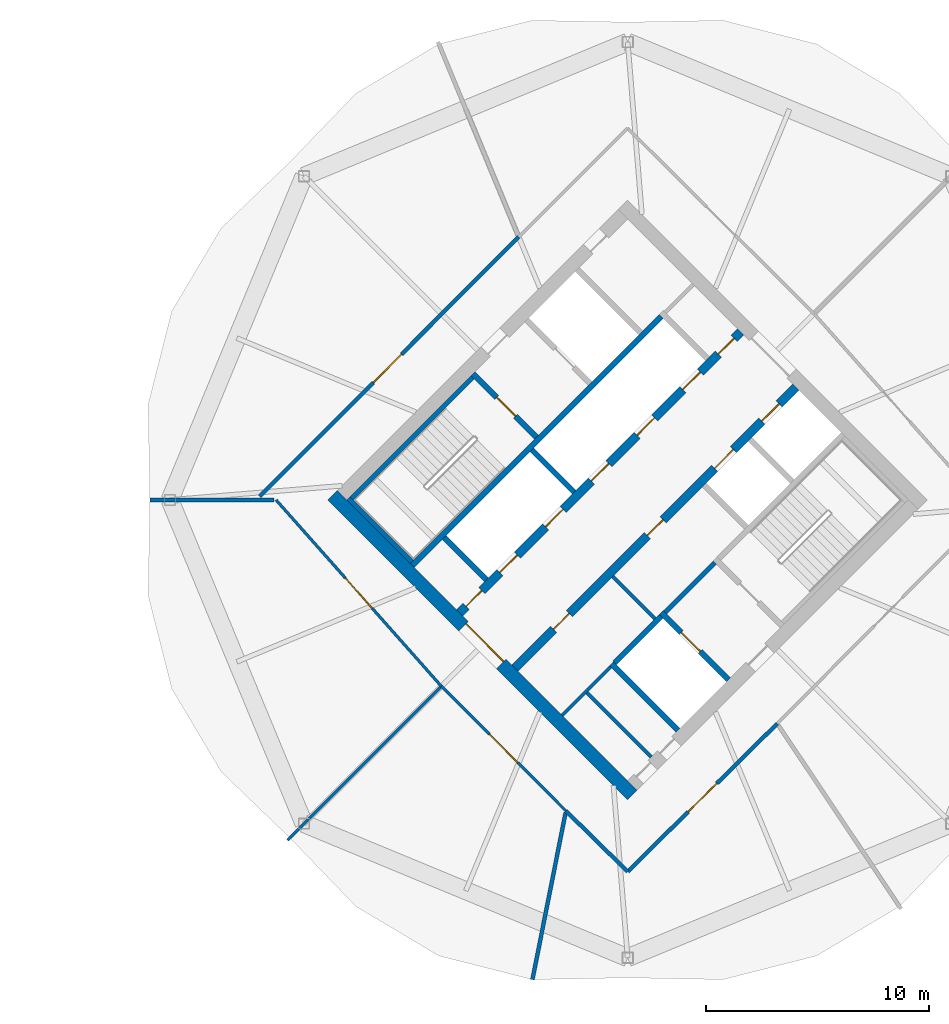
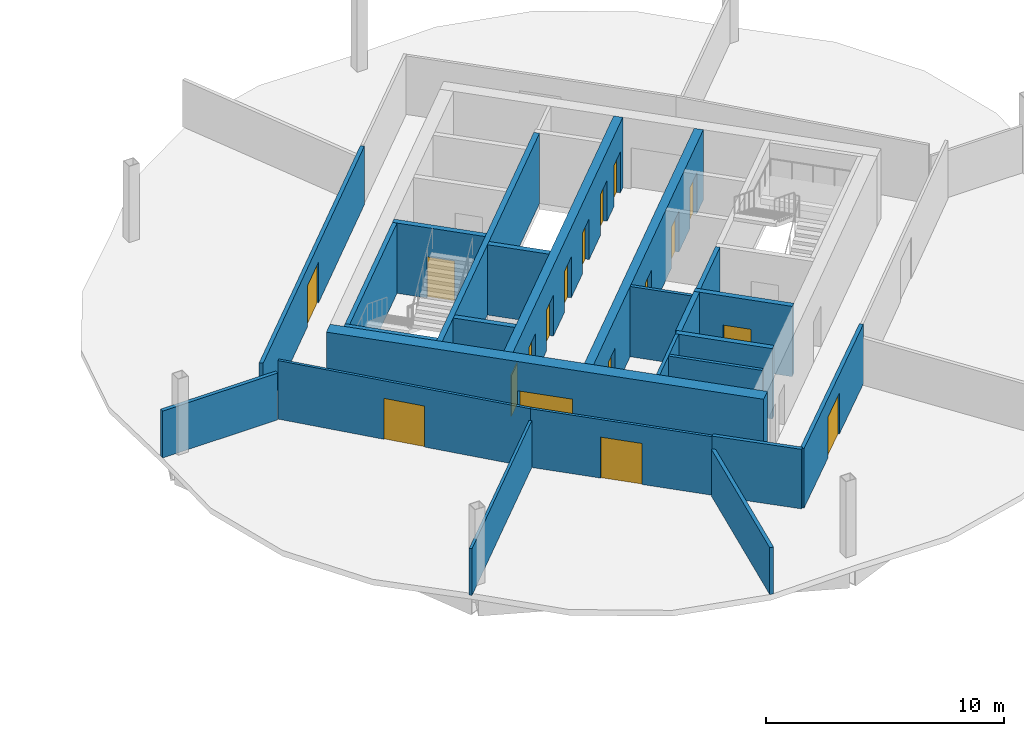
# One storey, part 6 of 9: 24 walls, 18 doors, 18 openings.
"""IFC4 building model written with IfcOpenShell, lengths in metres."""

from ifc_helpers import new_model, si_unit, direction, frame, frame_2d, origin, place, context, subcontext, project, spatial, rectangle, extrude, material, layer, layer_set, type_object, element, fill, save


model = new_model("IFC4")

# Units and contexts
model_context = context("Model", 3, precision=1e-05, world=origin(), true_north=direction((0.0, 1.0)))
body_context = subcontext(model_context, "Body", "Model", "MODEL_VIEW")
ifc_project = project(units=[si_unit("LENGTHUNIT", "METRE"), si_unit("AREAUNIT", "SQUARE_METRE"), si_unit("VOLUMEUNIT", "CUBIC_METRE"), si_unit("PLANEANGLEUNIT", "RADIAN"), si_unit("MASSUNIT", "GRAM", prefix="KILO")], contexts=[model_context])

# Site, building, storey
site_placement = place(None, origin())
site = spatial("IfcSite", under=ifc_project, at=site_placement, CompositionType="ELEMENT")
building_placement = place(site_placement, origin())
building = spatial("IfcBuilding", under=site, at=building_placement, Name="Ogive Gate Towers", CompositionType="ELEMENT")
storey_placement = place(building_placement, frame((0.0, 0.0, 192.89990234375)))
storey = spatial("IfcBuildingStorey", under=building, at=storey_placement, Name="L46", CompositionType="ELEMENT", Elevation=192.89990234375)

# Walls
ifc_material_1 = material(Name="Gypsum board acoustic partition")
ifc_layer_1 = layer(ifc_material_1, 0.175048828125)
ifc_layer_set_1 = layer_set([ifc_layer_1], Name="Acoustic partition 175")
wall_type_1 = type_object("IfcWallType", Name="Acoustic partition 175", PredefinedType="PARTITIONING", material=ifc_layer_set_1)
wall_1_placement = place(storey_placement, frame((14.5810546875, 0.0, 0.0), z_axis=(0.0, 0.0, 1.0), x_axis=(1.0, 0.0, 0.0)))
element("IfcWall", 1, at=wall_1_placement, inside=storey, type_object=wall_type_1, Name="Partition T2-L46-004", PredefinedType="PARTITIONING", context=body_context, shape_type="SweptSolid", body=[
    extrude(rectangle(XDim=5.571533203125, YDim=0.175048828125, at=frame_2d((2.78564453125, 0.0))), origin(), (0.0, 0.0, 1.0), 2.400146484375),
])
wall_2_placement = place(storey_placement, frame((31.731689453125, -21.5, 0.0), z_axis=(0.0, 0.0, 1.0), x_axis=(0.19472988684, 0.980856906573, 0.0)))
element("IfcWall", 2, at=wall_2_placement, inside=storey, type_object=wall_type_1, Name="Partition T2-L46-006", PredefinedType="PARTITIONING", context=body_context, shape_type="SweptSolid", body=[
    extrude(rectangle(XDim=7.62158203125, YDim=0.175048828125, at=frame_2d((3.810791015625, 0.0))), origin(), (0.0, 0.0, 1.0), 2.400146484375),
])

# Wall, opening, door
wall_3_placement = place(storey_placement, frame((36.0, -16.659423828125, 0.0), z_axis=(0.0, 0.0, 1.0), x_axis=(0.710811571556, 0.703382477563, 0.0)))
wall_3 = element("IfcWall", 3, at=wall_3_placement, inside=storey, type_object=wall_type_1, Name="Partition T2-L46-010", PredefinedType="PARTITIONING", context=body_context, shape_type="SweptSolid", body=[
    extrude(rectangle(XDim=9.431640625, YDim=0.175048828125, at=frame_2d((4.7158203125, 0.0))), origin(), (0.0, 0.0, 1.0), 3.050048828125),
])
opening_1_placement = place(wall_3_placement, frame((3.81591796875, 0.0, 0.0)))
opening_1 = element("IfcOpeningElement", 4, at=opening_1_placement, cuts=wall_3, Name="Opening T2-L46-D03", PredefinedType="OPENING", context=body_context, shape_type="SweptSolid", body=[
    extrude(rectangle(XDim=1.800048828125, YDim=2.10009765625, at=frame_2d((0.89990234375, 1.050048828125))), frame((0.0, 0.09765625, 0.0), z_axis=(0.0, -1.0, 0.0), x_axis=(1.0, 0.0, 0.0)), (0.0, 0.0, 1.0), 0.195068359375),
])
ifc_material_2 = material(Name="Timber door", Category="wood")
door_type_1 = type_object("IfcDoorType", Name="Door pair 1800", OperationType="NOTDEFINED", PredefinedType="DOOR", material=ifc_material_2)
door_1_placement = place(opening_1_placement, origin())
door_1 = element("IfcDoor", 5, at=door_1_placement, inside=storey, type_object=door_type_1, Name="Door T2-L46-D03", OperationType="DOUBLE_DOOR_DOUBLE_SWING", OverallHeight=2.10009765625, OverallWidth=1.800048828125, PredefinedType="DOOR", context=body_context, shape_type="SweptSolid", body=[
    extrude(rectangle(XDim=1.800048828125, YDim=2.10009765625, at=frame_2d((0.89990234375, 1.050048828125))), frame((0.0, 0.02490234375, 0.0), z_axis=(0.0, -1.0, 0.0), x_axis=(1.0, 0.0, 0.0)), (0.0, 0.0, 1.0), 0.050048828125),
])
fill(opening_1, door_1)

# Wall
wall_4_placement = place(storey_placement, frame((33.23291015625, -13.9384765625, 0.0), z_axis=(0.0, 0.0, 1.0), x_axis=(0.713026824881, -0.701136753423, 0.0)))
element("IfcWall", 6, at=wall_4_placement, inside=storey, type_object=wall_type_1, Name="Partition T2-L46-011", PredefinedType="PARTITIONING", context=body_context, shape_type="SweptSolid", body=[
    extrude(rectangle(XDim=3.880859375, YDim=0.175048828125, at=frame_2d((1.9404296875, 0.0))), origin(), (0.0, 0.0, 1.0), 3.050048828125),
])

# Wall, opening, door
wall_5_placement = place(storey_placement, frame((31.11669921875, 11.789794921875, 0.0), z_axis=(0.0, 0.0, 1.0), x_axis=(-0.706698338797, -0.707514987786, 0.0)))
wall_5 = element("IfcWall", 7, at=wall_5_placement, inside=storey, type_object=wall_type_1, Name="Partition T2-L46-016", PredefinedType="PARTITIONING", context=body_context, shape_type="SweptSolid", body=[
    extrude(rectangle(XDim=16.4423828125, YDim=0.175048828125, at=frame_2d((8.22119140625, 0.0))), origin(), (0.0, 0.0, 1.0), 3.0),
])
opening_2_placement = place(wall_5_placement, frame((7.431884765625, 0.0, 0.0)))
opening_2 = element("IfcOpeningElement", 8, at=opening_2_placement, cuts=wall_5, Name="Opening T2-L46-D07", PredefinedType="OPENING", context=body_context, shape_type="SweptSolid", body=[
    extrude(rectangle(XDim=1.800048828125, YDim=2.10009765625, at=frame_2d((0.89990234375, 1.050048828125))), frame((0.0, 0.09765625, 0.0), z_axis=(0.0, -1.0, 0.0), x_axis=(1.0, 0.0, 0.0)), (0.0, 0.0, 1.0), 0.195068359375),
])
door_2_placement = place(opening_2_placement, origin())
door_2 = element("IfcDoor", 9, at=door_2_placement, inside=storey, type_object=door_type_1, Name="Door T2-L46-D07", OperationType="DOUBLE_DOOR_DOUBLE_SWING", OverallHeight=2.10009765625, OverallWidth=1.800048828125, PredefinedType="DOOR", context=body_context, shape_type="SweptSolid", body=[
    extrude(rectangle(XDim=1.800048828125, YDim=2.10009765625, at=frame_2d((0.89990234375, 1.050048828125))), frame((0.0, 0.02490234375, 0.0), z_axis=(0.0, -1.0, 0.0), x_axis=(1.0, 0.0, 0.0)), (0.0, 0.0, 1.0), 0.050048828125),
])
fill(opening_2, door_2)

# Wall
ifc_material_3 = material(Name="Masonry blockwork", Category="masonry")
ifc_layer_2 = layer(ifc_material_3, 0.199951171875)
ifc_layer_set_2 = layer_set([ifc_layer_2], Name="Blockwork wall 200 mm")
wall_type_2 = type_object("IfcWallType", Name="Blockwork wall 200 mm", PredefinedType="PARTITIONING", material=ifc_layer_set_2)
wall_6_placement = place(storey_placement, frame((37.679443359375, -5.0380859375, 0.0), z_axis=(0.0, 0.0, 1.0), x_axis=(0.707106781187, 0.707106781187, 0.0)))
element("IfcWall", 10, at=wall_6_placement, inside=storey, type_object=wall_type_2, Name="T2 L46 Blockwork wall 200 mm", PredefinedType="PARTITIONING", context=body_context, shape_type="SweptSolid", body=[
    extrude(rectangle(XDim=3.14990234375, YDim=0.199951171875, at=frame_2d((1.574951171875, 0.0))), origin(), (0.0, 0.0, 1.0), 3.60009765625),
])

# Wall, opening, door
ifc_material_4 = material(Name="Concrete C60/75", Category="concrete")
ifc_layer_3 = layer(ifc_material_4, 0.60009765625)
ifc_layer_set_3 = layer_set([ifc_layer_3], Name="Core wall 600 mm")
wall_type_3 = type_object("IfcWallType", Name="Core wall 600 mm", PredefinedType="SHEAR", material=ifc_layer_set_3)
wall_7_placement = place(storey_placement, frame((36.212158203125, -13.222900390625, 0.0), z_axis=(0.0, 0.0, 1.0), x_axis=(-0.707106781187, 0.707106781187, 0.0)))
wall_7 = element("IfcWall", 11, at=wall_7_placement, inside=storey, type_object=wall_type_3, Name="T2 L46 Core wall 600 mm", PredefinedType="SHEAR", context=body_context, shape_type="SweptSolid", body=[
    extrude(rectangle(XDim=19.0, YDim=0.60009765625, at=frame_2d((9.5, 0.0))), origin(), (0.0, 0.0, 1.0), 3.60009765625),
])
opening_3_placement = place(wall_7_placement, frame((8.300048828125, 0.0, 0.0)))
opening_3 = element("IfcOpeningElement", 12, at=opening_3_placement, cuts=wall_7, Name="Opening KD-T2-L46-01", PredefinedType="OPENING", context=body_context, shape_type="SweptSolid", body=[
    extrude(rectangle(XDim=2.39990234375, YDim=2.10009765625, at=frame_2d((1.199951171875, 1.050048828125))), frame((0.0, 0.31005859375, 0.0), z_axis=(0.0, -1.0, 0.0), x_axis=(1.0, 0.0, 0.0)), (0.0, 0.0, 1.0), 0.6201171875),
])
ifc_material_5 = material(Name="Steel fire door", Category="steel")
door_type_2 = type_object("IfcDoorType", Name="Core double door FD60S 2400 x 2100", OperationType="DOUBLE_DOOR_SINGLE_SWING", PredefinedType="DOOR", material=ifc_material_5)
door_3_placement = place(opening_3_placement, origin())
door_3 = element("IfcDoor", 13, at=door_3_placement, inside=storey, type_object=door_type_2, Name="T2 L46 Core door double", OperationType="DOUBLE_DOOR_SINGLE_SWING", OverallHeight=2.10009765625, OverallWidth=2.39990234375, PredefinedType="DOOR", context=body_context, shape_type="SweptSolid", body=[
    extrude(rectangle(XDim=2.39990234375, YDim=2.10009765625, at=frame_2d((1.199951171875, 1.050048828125))), frame((0.0, -0.125, 0.0), z_axis=(0.0, -1.0, 0.0), x_axis=(1.0, 0.0, 0.0)), (0.0, 0.0, 1.0), 0.050048828125),
])
fill(opening_3, door_3)

# Wall
ifc_material_6 = material(Name="Gypsum board partition")
ifc_layer_4 = layer(ifc_material_6, 0.125)
ifc_layer_set_4 = layer_set([ifc_layer_4], Name="Partition 125")
wall_type_4 = type_object("IfcWallType", Name="Partition 125", PredefinedType="PARTITIONING", material=ifc_layer_set_4)
wall_8_placement = place(storey_placement, frame((20.751708984375, -15.248291015625, 0.0), z_axis=(0.0, 0.0, 1.0), x_axis=(0.707106781187, 0.707106781187, 0.0)))
element("IfcWall", 14, at=wall_8_placement, inside=storey, type_object=wall_type_4, Name="Partition T2-L46-005", PredefinedType="PARTITIONING", context=body_context, shape_type="SweptSolid", body=[
    extrude(rectangle(XDim=9.69189453125, YDim=0.125, at=frame_2d((4.845947265625, 0.0))), origin(), (0.0, 0.0, 1.0), 2.400146484375),
])

# Wall, opening, door
wall_9_placement = place(storey_placement, frame((20.239990234375, 0.0, 0.0), z_axis=(0.0, 0.0, 1.0), x_axis=(0.663674010549, -0.748021929974, 0.0)))
wall_9 = element("IfcWall", 15, at=wall_9_placement, inside=storey, type_object=wall_type_4, Name="Partition T2-L46-008", PredefinedType="PARTITIONING", context=body_context, shape_type="SweptSolid", body=[
    extrude(rectangle(XDim=11.163818359375, YDim=0.125, at=frame_2d((5.58203125, 0.0))), origin(), (0.0, 0.0, 1.0), 3.0),
])
opening_4_placement = place(wall_9_placement, frame((4.681884765625, 0.0, 0.0)))
opening_4 = element("IfcOpeningElement", 16, at=opening_4_placement, cuts=wall_9, Name="Opening T2-L46-D01", PredefinedType="OPENING", context=body_context, shape_type="SweptSolid", body=[
    extrude(rectangle(XDim=1.800048828125, YDim=2.10009765625, at=frame_2d((0.89990234375, 1.050048828125))), frame((0.0, 0.072509765625, 0.0), z_axis=(0.0, -1.0, 0.0), x_axis=(1.0, 0.0, 0.0)), (0.0, 0.0, 1.0), 0.14501953125),
])
door_4_placement = place(opening_4_placement, origin())
door_4 = element("IfcDoor", 17, at=door_4_placement, inside=storey, type_object=door_type_1, Name="Door T2-L46-D01", OperationType="DOUBLE_DOOR_DOUBLE_SWING", OverallHeight=2.10009765625, OverallWidth=1.800048828125, PredefinedType="DOOR", context=body_context, shape_type="SweptSolid", body=[
    extrude(rectangle(XDim=1.800048828125, YDim=2.10009765625, at=frame_2d((0.89990234375, 1.050048828125))), frame((0.0, 0.02490234375, 0.0), z_axis=(0.0, -1.0, 0.0), x_axis=(1.0, 0.0, 0.0)), (0.0, 0.0, 1.0), 0.050048828125),
])
fill(opening_4, door_4)

wall_10_placement = place(storey_placement, frame((27.649169921875, -8.350830078125, 0.0), z_axis=(0.0, 0.0, 1.0), x_axis=(0.706859487034, -0.707353988884, 0.0)))
wall_10 = element("IfcWall", 18, at=wall_10_placement, inside=storey, type_object=wall_type_4, Name="Partition T2-L46-009", PredefinedType="PARTITIONING", context=body_context, shape_type="SweptSolid", body=[
    extrude(rectangle(XDim=7.8994140625, YDim=0.125, at=frame_2d((3.94970703125, 0.0))), origin(), (0.0, 0.0, 1.0), 3.0),
])
opening_5_placement = place(wall_10_placement, frame((3.050048828125, 0.0, 0.0)))
opening_5 = element("IfcOpeningElement", 19, at=opening_5_placement, cuts=wall_10, Name="Opening T2-L46-D02", PredefinedType="OPENING", context=body_context, shape_type="SweptSolid", body=[
    extrude(rectangle(XDim=1.800048828125, YDim=2.10009765625, at=frame_2d((0.89990234375, 1.050048828125))), frame((0.0, 0.072509765625, 0.0), z_axis=(0.0, -1.0, 0.0), x_axis=(1.0, 0.0, 0.0)), (0.0, 0.0, 1.0), 0.14501953125),
])
door_5_placement = place(opening_5_placement, origin())
door_5 = element("IfcDoor", 20, at=door_5_placement, inside=storey, type_object=door_type_1, Name="Door T2-L46-D02", OperationType="DOUBLE_DOOR_DOUBLE_SWING", OverallHeight=2.10009765625, OverallWidth=1.800048828125, PredefinedType="DOOR", context=body_context, shape_type="SweptSolid", body=[
    extrude(rectangle(XDim=1.800048828125, YDim=2.10009765625, at=frame_2d((0.89990234375, 1.050048828125))), frame((0.0, 0.02490234375, 0.0), z_axis=(0.0, -1.0, 0.0), x_axis=(1.0, 0.0, 0.0)), (0.0, 0.0, 1.0), 0.050048828125),
])
fill(opening_5, door_5)

# Walls
ifc_layer_5 = layer(ifc_material_6, 0.14990234375)
ifc_layer_set_5 = layer_set([ifc_layer_5], Name="Room partition 150 mm")
wall_type_5 = type_object("IfcWallType", Name="Room partition 150 mm", PredefinedType="PARTITIONING", material=ifc_layer_set_5)
wall_11_placement = place(storey_placement, frame((33.0654296875, -9.652099609375, 0.0), z_axis=(0.0, 0.0, 1.0), x_axis=(0.707146476181, 0.707067083964, 0.0)))
element("IfcWall", 21, at=wall_11_placement, inside=storey, type_object=wall_type_5, Name="T2 L46 Room partition 150 mm", PredefinedType="PARTITIONING", context=body_context, shape_type="SweptSolid", body=[
    extrude(rectangle(XDim=3.0751953125, YDim=0.14990234375, at=frame_2d((1.53759765625, 0.0))), origin(), (0.0, 0.0, 1.0), 3.60009765625),
])
wall_12_placement = place(storey_placement, frame((37.060791015625, -11.52587890625, 0.0), z_axis=(0.0, 0.0, 1.0), x_axis=(-0.707106781187, 0.707106781187, 0.0)))
element("IfcWall", 22, at=wall_12_placement, inside=storey, type_object=wall_type_5, Name="T2 L46 Room partition 150 mm", PredefinedType="PARTITIONING", context=body_context, shape_type="SweptSolid", body=[
    extrude(rectangle(XDim=4.0751953125, YDim=0.14990234375, at=frame_2d((2.03759765625, 0.0))), origin(), (0.0, 0.0, 1.0), 3.60009765625),
])
wall_13_placement = place(storey_placement, frame((37.2197265625, -5.321044921875, 0.0), z_axis=(0.0, 0.0, 1.0), x_axis=(-0.707106781187, 0.707106781187, 0.0)))
element("IfcWall", 23, at=wall_13_placement, inside=storey, type_object=wall_type_5, Name="T2 L46 Room partition 150 mm", PredefinedType="PARTITIONING", context=body_context, shape_type="SweptSolid", body=[
    extrude(rectangle(XDim=2.675048828125, YDim=0.14990234375, at=frame_2d((1.33740234375, 0.0))), origin(), (0.0, 0.0, 1.0), 3.60009765625),
])
ifc_layer_6 = layer(ifc_material_4, 0.25)
ifc_layer_set_6 = layer_set([ifc_layer_6], Name="Shaft wall 250 mm")
wall_type_6 = type_object("IfcWallType", Name="Shaft wall 250 mm", PredefinedType="SHEAR", material=ifc_layer_set_6)
wall_14_placement = place(storey_placement, frame((35.41650390625, -7.30078125, 0.0), z_axis=(0.0, 0.0, 1.0), x_axis=(0.707148157867, 0.707065402085, 0.0)))
element("IfcWall", 24, at=wall_14_placement, inside=storey, type_object=wall_type_6, Name="T2 L46 Shaft wall 250 mm", PredefinedType="SHEAR", context=body_context, shape_type="SweptSolid", body=[
    extrude(rectangle(XDim=2.9501953125, YDim=0.25, at=frame_2d((1.47509765625, 0.0))), origin(), (0.0, 0.0, 1.0), 3.60009765625),
])
wall_15_placement = place(storey_placement, frame((26.347900390625, -2.9345703125, 0.0), z_axis=(0.0, 0.0, 1.0), x_axis=(0.707106781187, 0.707106781187, 0.0)))
element("IfcWall", 25, at=wall_15_placement, inside=storey, type_object=wall_type_6, Name="T2 L46 Shaft wall 250 mm", PredefinedType="SHEAR", context=body_context, shape_type="SweptSolid", body=[
    extrude(rectangle(XDim=15.775146484375, YDim=0.25, at=frame_2d((7.8876953125, 0.0))), origin(), (0.0, 0.0, 1.0), 3.60009765625),
])
wall_16_placement = place(storey_placement, frame((29.67138671875, -3.57080078125, 0.0), z_axis=(0.0, 0.0, 1.0), x_axis=(-0.707152414227, 0.707061145201, 0.0)))
element("IfcWall", 26, at=wall_16_placement, inside=storey, type_object=wall_type_6, Name="T2 L46 Shaft wall 250 mm", PredefinedType="SHEAR", context=body_context, shape_type="SweptSolid", body=[
    extrude(rectangle(XDim=2.675048828125, YDim=0.25, at=frame_2d((1.33740234375, 0.0))), origin(), (0.0, 0.0, 1.0), 3.60009765625),
])
wall_17_placement = place(storey_placement, frame((38.2626953125, -10.32373046875, 0.0), z_axis=(0.0, 0.0, 1.0), x_axis=(-0.707106781187, 0.707106781187, 0.0)))
element("IfcWall", 27, at=wall_17_placement, inside=storey, type_object=wall_type_6, Name="T2 L46 Shaft wall 250 mm", PredefinedType="SHEAR", context=body_context, shape_type="SweptSolid", body=[
    extrude(rectangle(XDim=4.22509765625, YDim=0.25, at=frame_2d((2.112548828125, 0.0))), origin(), (0.0, 0.0, 1.0), 3.60009765625),
])

# Wall, opening, door
wall_18_placement = place(storey_placement, frame((40.525390625, -8.06103515625, 0.0), z_axis=(0.0, 0.0, 1.0), x_axis=(-0.707078225638, 0.707135335582, 0.0)))
wall_18 = element("IfcWall", 28, at=wall_18_placement, inside=storey, type_object=wall_type_6, Name="T2 L46 Shaft wall 250 mm", PredefinedType="SHEAR", context=body_context, shape_type="SweptSolid", body=[
    extrude(rectangle(XDim=4.27490234375, YDim=0.25, at=frame_2d((2.137451171875, 0.0))), origin(), (0.0, 0.0, 1.0), 3.60009765625),
])
opening_6_placement = place(wall_18_placement, frame((1.800048828125, 0.0, 0.0)))
opening_6 = element("IfcOpeningElement", 29, at=opening_6_placement, cuts=wall_18, Name="Opening LD-T2-L46-13", PredefinedType="OPENING", context=body_context, shape_type="SweptSolid", body=[
    extrude(rectangle(XDim=1.199951171875, YDim=2.10009765625, at=frame_2d((0.60009765625, 1.050048828125))), frame((0.0, 0.135009765625, 0.0), z_axis=(0.0, -1.0, 0.0), x_axis=(1.0, 0.0, 0.0)), (0.0, 0.0, 1.0), 0.27001953125),
])
ifc_material_7 = material(Name="Stainless steel landing door", Category="steel")
door_type_3 = type_object("IfcDoorType", Name="Landing door 1200 x 2100", OperationType="SLIDING_TO_LEFT", PredefinedType="DOOR", material=ifc_material_7)
door_6_placement = place(opening_6_placement, origin())
door_6 = element("IfcDoor", 30, at=door_6_placement, inside=storey, type_object=door_type_3, Name="T2 L46 Lift landing door FF2", OperationType="SLIDING_TO_LEFT", OverallHeight=2.10009765625, OverallWidth=1.199951171875, PredefinedType="DOOR", context=body_context, shape_type="SweptSolid", body=[
    extrude(rectangle(XDim=1.199951171875, YDim=2.10009765625, at=frame_2d((0.60009765625, 1.050048828125))), frame((0.0, 0.02490234375, 0.0), z_axis=(0.0, -1.0, 0.0), x_axis=(1.0, 0.0, 0.0)), (0.0, 0.0, 1.0), 0.050048828125),
])
fill(opening_6, door_6)

# Wall
wall_19_placement = place(storey_placement, frame((33.595703125, 0.353515625, 0.0), z_axis=(0.0, 0.0, 1.0), x_axis=(-0.707061145201, 0.707152414227, 0.0)))
element("IfcWall", 31, at=wall_19_placement, inside=storey, type_object=wall_type_6, Name="T2 L46 Shaft wall 250 mm", PredefinedType="SHEAR", context=body_context, shape_type="SweptSolid", body=[
    extrude(rectangle(XDim=2.675048828125, YDim=0.25, at=frame_2d((1.33740234375, 0.0))), origin(), (0.0, 0.0, 1.0), 3.60009765625),
])

# Wall, opening, door
wall_20_placement = place(storey_placement, frame((31.91650390625, 2.810791015625, 0.0), z_axis=(0.0, 0.0, 1.0), x_axis=(-0.707106781187, 0.707106781187, 0.0)))
wall_20 = element("IfcWall", 32, at=wall_20_placement, inside=storey, type_object=wall_type_6, Name="T2 L46 Shaft wall 250 mm", PredefinedType="SHEAR", context=body_context, shape_type="SweptSolid", body=[
    extrude(rectangle(XDim=4.025146484375, YDim=0.25, at=frame_2d((2.0126953125, 0.0))), origin(), (0.0, 0.0, 1.0), 3.60009765625),
])
opening_7_placement = place(wall_20_placement, frame((1.324951171875, 0.0, 0.0)))
opening_7 = element("IfcOpeningElement", 33, at=opening_7_placement, cuts=wall_20, Name="Opening KD-T2-L46-16", PredefinedType="OPENING", context=body_context, shape_type="SweptSolid", body=[
    extrude(rectangle(XDim=1.199951171875, YDim=2.10009765625, at=frame_2d((0.60009765625, 1.050048828125))), frame((0.0, 0.135009765625, 0.0), z_axis=(0.0, -1.0, 0.0), x_axis=(1.0, 0.0, 0.0)), (0.0, 0.0, 1.0), 0.27001953125),
])
door_type_4 = type_object("IfcDoorType", Name="Core door FD60S 1200 x 2100", OperationType="NOTDEFINED", PredefinedType="DOOR", material=ifc_material_5)
door_7_placement = place(opening_7_placement, origin())
door_7 = element("IfcDoor", 34, at=door_7_placement, inside=storey, type_object=door_type_4, Name="T2 L46 Stair door", OperationType="SINGLE_SWING_LEFT", OverallHeight=2.10009765625, OverallWidth=1.199951171875, PredefinedType="DOOR", context=body_context, shape_type="SweptSolid", body=[
    extrude(rectangle(XDim=1.199951171875, YDim=2.10009765625, at=frame_2d((0.60009765625, 1.050048828125))), frame((0.0, 0.02490234375, 0.0), z_axis=(0.0, -1.0, 0.0), x_axis=(1.0, 0.0, 0.0)), (0.0, 0.0, 1.0), 0.050048828125),
])
fill(opening_7, door_7)

# Wall, openings, doors
ifc_layer_7 = layer(ifc_material_4, 0.39990234375)
ifc_layer_set_7 = layer_set([ifc_layer_7], Name="Spine wall 400 mm")
wall_type_7 = type_object("IfcWallType", Name="Spine wall 400 mm", PredefinedType="SHEAR", material=ifc_layer_set_7)
wall_21_placement = place(storey_placement, frame((30.944091796875, -7.53076171875, 0.0), z_axis=(0.0, 0.0, 1.0), x_axis=(0.707106781187, 0.707106781187, 0.0)))
wall_21 = element("IfcWall", 35, at=wall_21_placement, inside=storey, type_object=wall_type_7, Name="T2 L46 Spine wall 400 mm", PredefinedType="SHEAR", context=body_context, shape_type="SweptSolid", body=[
    extrude(rectangle(XDim=17.80029296875, YDim=0.39990234375, at=frame_2d((8.900146484375, 0.0))), origin(), (0.0, 0.0, 1.0), 3.60009765625),
])
opening_8_placement = place(wall_21_placement, frame((12.64990234375, 0.0, 0.0)))
opening_8 = element("IfcOpeningElement", 36, at=opening_8_placement, cuts=wall_21, Name="Opening LD-T2-L46-10", PredefinedType="OPENING", context=body_context, shape_type="SweptSolid", body=[
    extrude(rectangle(XDim=1.199951171875, YDim=2.10009765625, at=frame_2d((0.60009765625, 1.050048828125))), frame((0.0, 0.2099609375, 0.0), z_axis=(0.0, -1.0, 0.0), x_axis=(1.0, 0.0, 0.0)), (0.0, 0.0, 1.0), 0.419921875),
])
opening_9_placement = place(wall_21_placement, frame((15.64990234375, 0.0, 0.0)))
opening_9 = element("IfcOpeningElement", 37, at=opening_9_placement, cuts=wall_21, Name="Opening LD-T2-L46-11", PredefinedType="OPENING", context=body_context, shape_type="SweptSolid", body=[
    extrude(rectangle(XDim=1.10009765625, YDim=2.10009765625, at=frame_2d((0.550048828125, 1.050048828125))), frame((0.0, 0.2099609375, 0.0), z_axis=(0.0, -1.0, 0.0), x_axis=(1.0, 0.0, 0.0)), (0.0, 0.0, 1.0), 0.419921875),
])
opening_10_placement = place(wall_21_placement, frame((2.449951171875, 0.0, 0.0)))
opening_10 = element("IfcOpeningElement", 38, at=opening_10_placement, cuts=wall_21, Name="Opening KD-T2-L46-14", PredefinedType="OPENING", context=body_context, shape_type="SweptSolid", body=[
    extrude(rectangle(XDim=1.0, YDim=2.10009765625, at=frame_2d((0.5, 1.050048828125))), frame((0.0, 0.2099609375, 0.0), z_axis=(0.0, -1.0, 0.0), x_axis=(1.0, 0.0, 0.0)), (0.0, 0.0, 1.0), 0.419921875),
])
opening_11_placement = place(wall_21_placement, frame((8.39990234375, 0.0, 0.0)))
opening_11 = element("IfcOpeningElement", 39, at=opening_11_placement, cuts=wall_21, Name="Opening KD-T2-L46-15", PredefinedType="OPENING", context=body_context, shape_type="SweptSolid", body=[
    extrude(rectangle(XDim=1.0, YDim=2.10009765625, at=frame_2d((0.5, 1.050048828125))), frame((0.0, 0.2099609375, 0.0), z_axis=(0.0, -1.0, 0.0), x_axis=(1.0, 0.0, 0.0)), (0.0, 0.0, 1.0), 0.419921875),
])
door_type_5 = type_object("IfcDoorType", Name="Core door FD60S 1000 x 2100", OperationType="NOTDEFINED", PredefinedType="DOOR", material=ifc_material_5)
door_8_placement = place(opening_10_placement, origin())
door_8 = element("IfcDoor", 40, at=door_8_placement, inside=storey, type_object=door_type_5, Name="T2 L46 Core door", OperationType="SINGLE_SWING_LEFT", OverallHeight=2.10009765625, OverallWidth=1.0, PredefinedType="DOOR", context=body_context, shape_type="SweptSolid", body=[
    extrude(rectangle(XDim=1.0, YDim=2.10009765625, at=frame_2d((0.5, 1.050048828125))), frame((0.0, 0.02490234375, 0.0), z_axis=(0.0, -1.0, 0.0), x_axis=(1.0, 0.0, 0.0)), (0.0, 0.0, 1.0), 0.050048828125),
])
fill(opening_10, door_8)
door_9_placement = place(opening_11_placement, origin())
door_9 = element("IfcDoor", 41, at=door_9_placement, inside=storey, type_object=door_type_5, Name="T2 L46 Core door", OperationType="SINGLE_SWING_RIGHT", OverallHeight=2.10009765625, OverallWidth=1.0, PredefinedType="DOOR", context=body_context, shape_type="SweptSolid", body=[
    extrude(rectangle(XDim=1.0, YDim=2.10009765625, at=frame_2d((0.5, 1.050048828125))), frame((0.0, 0.02490234375, 0.0), z_axis=(0.0, -1.0, 0.0), x_axis=(1.0, 0.0, 0.0)), (0.0, 0.0, 1.0), 0.050048828125),
])
fill(opening_11, door_9)
door_type_6 = type_object("IfcDoorType", Name="Landing door 1100 x 2100", OperationType="SLIDING_TO_LEFT", PredefinedType="DOOR", material=ifc_material_7)
door_10_placement = place(opening_9_placement, origin())
door_10 = element("IfcDoor", 42, at=door_10_placement, inside=storey, type_object=door_type_6, Name="T2 L46 Lift landing door B6", OperationType="SLIDING_TO_LEFT", OverallHeight=2.10009765625, OverallWidth=1.10009765625, PredefinedType="DOOR", context=body_context, shape_type="SweptSolid", body=[
    extrude(rectangle(XDim=1.10009765625, YDim=2.10009765625, at=frame_2d((0.550048828125, 1.050048828125))), frame((0.0, 0.02490234375, 0.0), z_axis=(0.0, -1.0, 0.0), x_axis=(1.0, 0.0, 0.0)), (0.0, 0.0, 1.0), 0.050048828125),
])
fill(opening_9, door_10)
door_11_placement = place(opening_8_placement, origin())
door_11 = element("IfcDoor", 43, at=door_11_placement, inside=storey, type_object=door_type_3, Name="T2 L46 Lift landing door SVC", OperationType="SLIDING_TO_LEFT", OverallHeight=2.10009765625, OverallWidth=1.199951171875, PredefinedType="DOOR", context=body_context, shape_type="SweptSolid", body=[
    extrude(rectangle(XDim=1.199951171875, YDim=2.10009765625, at=frame_2d((0.60009765625, 1.050048828125))), frame((0.0, 0.02490234375, 0.0), z_axis=(0.0, -1.0, 0.0), x_axis=(1.0, 0.0, 0.0)), (0.0, 0.0, 1.0), 0.050048828125),
])
fill(opening_8, door_11)

wall_22_placement = place(storey_placement, frame((28.46923828125, -5.055908203125, 0.0), z_axis=(0.0, 0.0, 1.0), x_axis=(0.707106781187, 0.707106781187, 0.0)))
wall_22 = element("IfcWall", 44, at=wall_22_placement, inside=storey, type_object=wall_type_7, Name="T2 L46 Spine wall 400 mm", PredefinedType="SHEAR", context=body_context, shape_type="SweptSolid", body=[
    extrude(rectangle(XDim=17.80029296875, YDim=0.39990234375, at=frame_2d((8.900146484375, 0.0))), origin(), (0.0, 0.0, 1.0), 3.60009765625),
])
opening_12_placement = place(wall_22_placement, frame((0.39990234375, 0.0, 0.0)))
opening_12 = element("IfcOpeningElement", 45, at=opening_12_placement, cuts=wall_22, Name="Opening KD-T2-L46-03", PredefinedType="OPENING", context=body_context, shape_type="SweptSolid", body=[
    extrude(rectangle(XDim=1.0, YDim=2.10009765625, at=frame_2d((0.5, 1.050048828125))), frame((0.0, 0.2099609375, 0.0), z_axis=(0.0, -1.0, 0.0), x_axis=(1.0, 0.0, 0.0)), (0.0, 0.0, 1.0), 0.419921875),
])
opening_13_placement = place(wall_22_placement, frame((2.550048828125, 0.0, 0.0)))
opening_13 = element("IfcOpeningElement", 46, at=opening_13_placement, cuts=wall_22, Name="Opening LD-T2-L46-04", PredefinedType="OPENING", context=body_context, shape_type="SweptSolid", body=[
    extrude(rectangle(XDim=1.10009765625, YDim=2.10009765625, at=frame_2d((0.550048828125, 1.050048828125))), frame((0.0, 0.2099609375, 0.0), z_axis=(0.0, -1.0, 0.0), x_axis=(1.0, 0.0, 0.0)), (0.0, 0.0, 1.0), 0.419921875),
])
opening_14_placement = place(wall_22_placement, frame((5.449951171875, 0.0, 0.0)))
opening_14 = element("IfcOpeningElement", 47, at=opening_14_placement, cuts=wall_22, Name="Opening LD-T2-L46-05", PredefinedType="OPENING", context=body_context, shape_type="SweptSolid", body=[
    extrude(rectangle(XDim=1.10009765625, YDim=2.10009765625, at=frame_2d((0.550048828125, 1.050048828125))), frame((0.0, 0.2099609375, 0.0), z_axis=(0.0, -1.0, 0.0), x_axis=(1.0, 0.0, 0.0)), (0.0, 0.0, 1.0), 0.419921875),
])
opening_15_placement = place(wall_22_placement, frame((8.35009765625, 0.0, 0.0)))
opening_15 = element("IfcOpeningElement", 48, at=opening_15_placement, cuts=wall_22, Name="Opening LD-T2-L46-06", PredefinedType="OPENING", context=body_context, shape_type="SweptSolid", body=[
    extrude(rectangle(XDim=1.10009765625, YDim=2.10009765625, at=frame_2d((0.550048828125, 1.050048828125))), frame((0.0, 0.2099609375, 0.0), z_axis=(0.0, -1.0, 0.0), x_axis=(1.0, 0.0, 0.0)), (0.0, 0.0, 1.0), 0.419921875),
])
opening_16_placement = place(wall_22_placement, frame((11.25, 0.0, 0.0)))
opening_16 = element("IfcOpeningElement", 49, at=opening_16_placement, cuts=wall_22, Name="Opening LD-T2-L46-07", PredefinedType="OPENING", context=body_context, shape_type="SweptSolid", body=[
    extrude(rectangle(XDim=1.10009765625, YDim=2.10009765625, at=frame_2d((0.550048828125, 1.050048828125))), frame((0.0, 0.2099609375, 0.0), z_axis=(0.0, -1.0, 0.0), x_axis=(1.0, 0.0, 0.0)), (0.0, 0.0, 1.0), 0.419921875),
])
opening_17_placement = place(wall_22_placement, frame((14.14990234375, 0.0, 0.0)))
opening_17 = element("IfcOpeningElement", 50, at=opening_17_placement, cuts=wall_22, Name="Opening LD-T2-L46-08", PredefinedType="OPENING", context=body_context, shape_type="SweptSolid", body=[
    extrude(rectangle(XDim=1.10009765625, YDim=2.10009765625, at=frame_2d((0.550048828125, 1.050048828125))), frame((0.0, 0.2099609375, 0.0), z_axis=(0.0, -1.0, 0.0), x_axis=(1.0, 0.0, 0.0)), (0.0, 0.0, 1.0), 0.419921875),
])
opening_18_placement = place(wall_22_placement, frame((16.39990234375, 0.0, 0.0)))
opening_18 = element("IfcOpeningElement", 51, at=opening_18_placement, cuts=wall_22, Name="Opening KD-T2-L46-09", PredefinedType="OPENING", context=body_context, shape_type="SweptSolid", body=[
    extrude(rectangle(XDim=1.0, YDim=2.10009765625, at=frame_2d((0.5, 1.050048828125))), frame((0.0, 0.2099609375, 0.0), z_axis=(0.0, -1.0, 0.0), x_axis=(1.0, 0.0, 0.0)), (0.0, 0.0, 1.0), 0.419921875),
])
door_12_placement = place(opening_12_placement, origin())
door_12 = element("IfcDoor", 52, at=door_12_placement, inside=storey, type_object=door_type_5, Name="T2 L46 Core door", OperationType="SINGLE_SWING_RIGHT", OverallHeight=2.10009765625, OverallWidth=1.0, PredefinedType="DOOR", context=body_context, shape_type="SweptSolid", body=[
    extrude(rectangle(XDim=1.0, YDim=2.10009765625, at=frame_2d((0.5, 1.050048828125))), frame((0.0, 0.02490234375, 0.0), z_axis=(0.0, -1.0, 0.0), x_axis=(1.0, 0.0, 0.0)), (0.0, 0.0, 1.0), 0.050048828125),
])
fill(opening_12, door_12)
door_13_placement = place(opening_18_placement, origin())
door_13 = element("IfcDoor", 53, at=door_13_placement, inside=storey, type_object=door_type_5, Name="T2 L46 Core door", OperationType="SINGLE_SWING_RIGHT", OverallHeight=2.10009765625, OverallWidth=1.0, PredefinedType="DOOR", context=body_context, shape_type="SweptSolid", body=[
    extrude(rectangle(XDim=1.0, YDim=2.10009765625, at=frame_2d((0.5, 1.050048828125))), frame((0.0, 0.02490234375, 0.0), z_axis=(0.0, -1.0, 0.0), x_axis=(1.0, 0.0, 0.0)), (0.0, 0.0, 1.0), 0.050048828125),
])
fill(opening_18, door_13)
door_14_placement = place(opening_13_placement, origin())
door_14 = element("IfcDoor", 54, at=door_14_placement, inside=storey, type_object=door_type_6, Name="T2 L46 Lift landing door B1", OperationType="SLIDING_TO_LEFT", OverallHeight=2.10009765625, OverallWidth=1.10009765625, PredefinedType="DOOR", context=body_context, shape_type="SweptSolid", body=[
    extrude(rectangle(XDim=1.10009765625, YDim=2.10009765625, at=frame_2d((0.550048828125, 1.050048828125))), frame((0.0, 0.02490234375, 0.0), z_axis=(0.0, -1.0, 0.0), x_axis=(1.0, 0.0, 0.0)), (0.0, 0.0, 1.0), 0.050048828125),
])
fill(opening_13, door_14)
door_15_placement = place(opening_14_placement, origin())
door_15 = element("IfcDoor", 55, at=door_15_placement, inside=storey, type_object=door_type_6, Name="T2 L46 Lift landing door B2", OperationType="SLIDING_TO_LEFT", OverallHeight=2.10009765625, OverallWidth=1.10009765625, PredefinedType="DOOR", context=body_context, shape_type="SweptSolid", body=[
    extrude(rectangle(XDim=1.10009765625, YDim=2.10009765625, at=frame_2d((0.550048828125, 1.050048828125))), frame((0.0, 0.02490234375, 0.0), z_axis=(0.0, -1.0, 0.0), x_axis=(1.0, 0.0, 0.0)), (0.0, 0.0, 1.0), 0.050048828125),
])
fill(opening_14, door_15)
door_16_placement = place(opening_15_placement, origin())
door_16 = element("IfcDoor", 56, at=door_16_placement, inside=storey, type_object=door_type_6, Name="T2 L46 Lift landing door B3", OperationType="SLIDING_TO_LEFT", OverallHeight=2.10009765625, OverallWidth=1.10009765625, PredefinedType="DOOR", context=body_context, shape_type="SweptSolid", body=[
    extrude(rectangle(XDim=1.10009765625, YDim=2.10009765625, at=frame_2d((0.550048828125, 1.050048828125))), frame((0.0, 0.02490234375, 0.0), z_axis=(0.0, -1.0, 0.0), x_axis=(1.0, 0.0, 0.0)), (0.0, 0.0, 1.0), 0.050048828125),
])
fill(opening_15, door_16)
door_17_placement = place(opening_16_placement, origin())
door_17 = element("IfcDoor", 57, at=door_17_placement, inside=storey, type_object=door_type_6, Name="T2 L46 Lift landing door B4", OperationType="SLIDING_TO_LEFT", OverallHeight=2.10009765625, OverallWidth=1.10009765625, PredefinedType="DOOR", context=body_context, shape_type="SweptSolid", body=[
    extrude(rectangle(XDim=1.10009765625, YDim=2.10009765625, at=frame_2d((0.550048828125, 1.050048828125))), frame((0.0, 0.02490234375, 0.0), z_axis=(0.0, -1.0, 0.0), x_axis=(1.0, 0.0, 0.0)), (0.0, 0.0, 1.0), 0.050048828125),
])
fill(opening_16, door_17)
door_18_placement = place(opening_17_placement, origin())
door_18 = element("IfcDoor", 58, at=door_18_placement, inside=storey, type_object=door_type_6, Name="T2 L46 Lift landing door B5", OperationType="SLIDING_TO_LEFT", OverallHeight=2.10009765625, OverallWidth=1.10009765625, PredefinedType="DOOR", context=body_context, shape_type="SweptSolid", body=[
    extrude(rectangle(XDim=1.10009765625, YDim=2.10009765625, at=frame_2d((0.550048828125, 1.050048828125))), frame((0.0, 0.02490234375, 0.0), z_axis=(0.0, -1.0, 0.0), x_axis=(1.0, 0.0, 0.0)), (0.0, 0.0, 1.0), 0.050048828125),
])
fill(opening_17, door_18)

# Walls
ifc_layer_8 = layer(ifc_material_4, 0.199951171875)
ifc_layer_set_8 = layer_set([ifc_layer_8], Name="Stair wall 200 mm")
wall_type_8 = type_object("IfcWallType", Name="Stair wall 200 mm", PredefinedType="SHEAR", material=ifc_layer_set_8)
wall_23_placement = place(storey_placement, frame((23.62548828125, 0.07080078125, 0.0), z_axis=(0.0, 0.0, 1.0), x_axis=(0.707122685701, 0.707090876314, 0.0)))
element("IfcWall", 59, at=wall_23_placement, inside=storey, type_object=wall_type_8, Name="T2 L46 Stair wall 200 mm", PredefinedType="SHEAR", context=body_context, shape_type="SweptSolid", body=[
    extrude(rectangle(XDim=7.675048828125, YDim=0.199951171875, at=frame_2d((3.83740234375, 0.0))), origin(), (0.0, 0.0, 1.0), 3.60009765625),
])
wall_24_placement = place(storey_placement, frame((26.330322265625, -2.775390625, 0.0), z_axis=(0.0, 0.0, 1.0), x_axis=(-0.707106781187, 0.707106781187, 0.0)))
element("IfcWall", 60, at=wall_24_placement, inside=storey, type_object=wall_type_8, Name="T2 L46 Stair wall 200 mm", PredefinedType="SHEAR", context=body_context, shape_type="SweptSolid", body=[
    extrude(rectangle(XDim=4.025146484375, YDim=0.199951171875, at=frame_2d((2.0126953125, 0.0))), origin(), (0.0, 0.0, 1.0), 3.60009765625),
])

save(model, "model.ifc")
